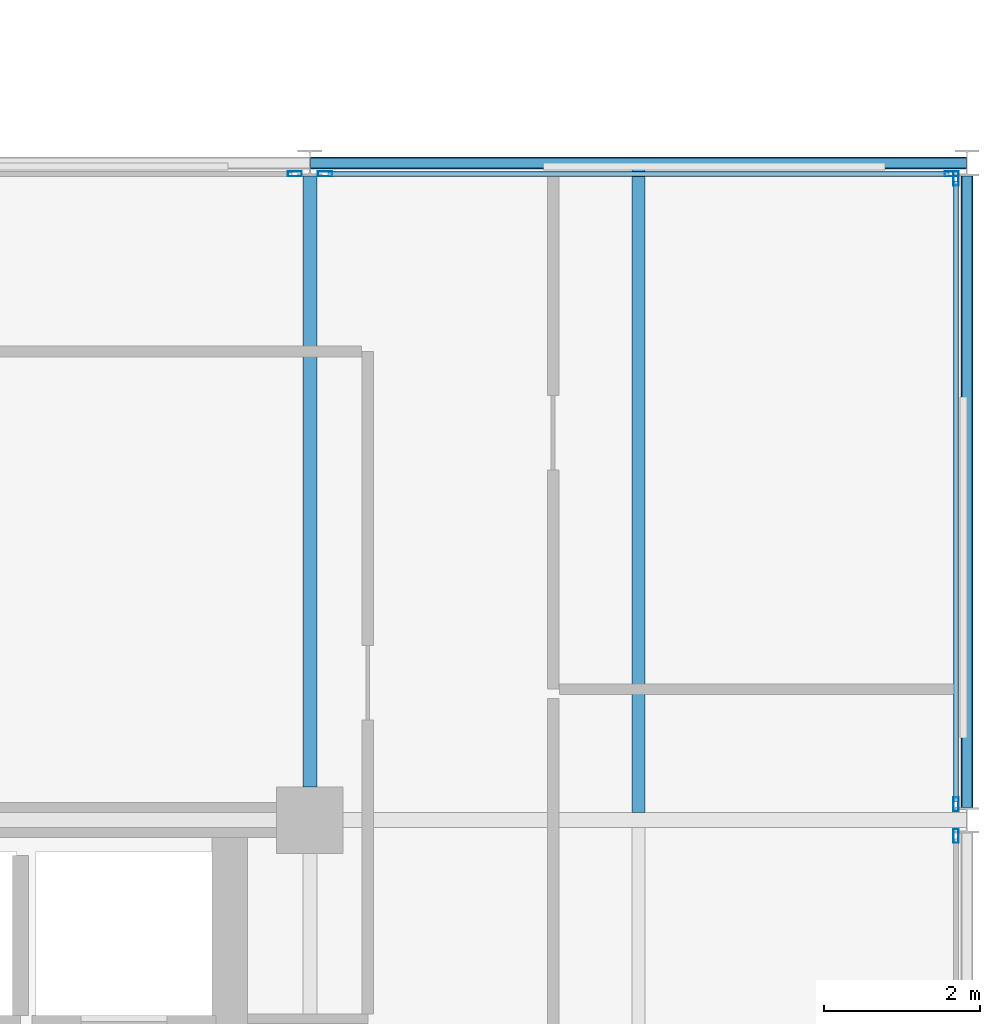
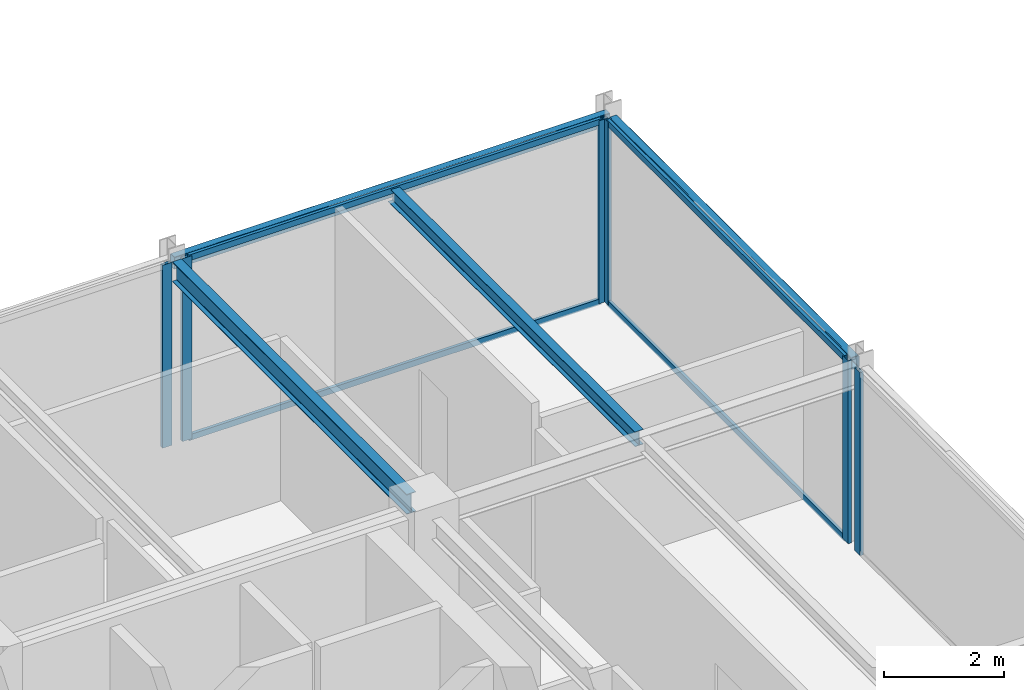
# One storey, part 16 of 26: 10 members, 4 beams, 4 elements without a shape of their own.
"""IFC4 building model written with IfcOpenShell, lengths in metres."""

from ifc_helpers import new_model, si_unit, direction, frame, origin, origin_2d, place, context, subcontext, project, spatial, hollow_rectangle, i_section, extrude, material, layer, layer_set, material_profile, profile_set, type_object, element, aggregate, save


model = new_model("IFC4")

# Units and contexts
model_context = context("Model", 3, precision=1e-05, world=origin(), true_north=direction((0.0, 1.0)))
body_context = subcontext(model_context, "Body", "Model", "MODEL_VIEW")
ifc_project = project(units=[si_unit("LENGTHUNIT", "METRE"), si_unit("AREAUNIT", "SQUARE_METRE"), si_unit("VOLUMEUNIT", "CUBIC_METRE"), si_unit("PLANEANGLEUNIT", "RADIAN"), si_unit("MASSUNIT", "GRAM", prefix="KILO")], contexts=[model_context])

# Site, building, storey
site_placement = place(None, origin())
site = spatial("IfcSite", under=ifc_project, at=site_placement, CompositionType="ELEMENT")
building_placement = place(site_placement, origin())
building = spatial("IfcBuilding", under=site, at=building_placement, Name="Nerrivon Quay Data Exchange", CompositionType="ELEMENT")
storey_placement = place(building_placement, frame((0.0, 0.0, 250.199951171875)))
storey = spatial("IfcBuildingStorey", under=building, at=storey_placement, Name="L59", CompositionType="ELEMENT", Elevation=250.199951171875)

# Beams
ifc_material_1 = material(Name="Steel Grade 350", Category="steel")
ifc_material_profile_1 = material_profile(ifc_material_1, i_section(OverallWidth=0.177978515625, OverallDepth=0.406005859375, WebThickness=0.0078125, FlangeThickness=0.0126953125, FilletRadius=0.011474609375, at=origin_2d()), Name="410UB59.7")
ifc_profile_set_1 = profile_set([ifc_material_profile_1], Name="Steel Grade 350")
beam_type_1 = type_object("IfcBeamType", Name="BM-J1-410UB60", PredefinedType="JOIST", material=ifc_profile_set_1)
beam_1_placement = place(storey_placement, frame((33.60009765625, 17.22509765625, 3.52197265625), z_axis=(0.0, 1.0, 0.0), x_axis=(-1.0, 0.0, 0.0)))
element("IfcBeam", 1, at=beam_1_placement, inside=storey, type_object=beam_type_1, Name="L59 NS Girder X=33.6 (16.8..25.2)", PredefinedType="JOIST", context=body_context, shape_type="SweptSolid", body=[
    extrude(i_section(OverallWidth=0.177978515625, OverallDepth=0.406005859375, WebThickness=0.0078125, FlangeThickness=0.0126953125, FilletRadius=0.011474609375, at=origin_2d()), origin(), (0.0, 0.0, 1.0), 7.8115234375),
])
ifc_material_profile_2 = material_profile(ifc_material_1, i_section(OverallWidth=0.1650390625, OverallDepth=0.303955078125, WebThickness=0.006103515625, FlangeThickness=0.01025390625, FilletRadius=0.011474609375, at=origin_2d()), Name="310UB40.4")
ifc_profile_set_2 = profile_set([ifc_material_profile_2], Name="Steel Grade 350")
beam_type_2 = type_object("IfcBeamType", Name="BM-J6-310UB40", PredefinedType="JOIST", material=ifc_profile_set_2)
beam_2_placement = place(storey_placement, frame((37.800048828125, 16.89501953125, 3.572998046875), z_axis=(0.0, 1.0, 0.0), x_axis=(-1.0, 0.0, 0.0)))
element("IfcBeam", 2, at=beam_2_placement, inside=storey, type_object=beam_type_2, Name="L59 Secondary Joist X=37.8 (16.8..25.2)", PredefinedType="JOIST", context=body_context, shape_type="SweptSolid", body=[
    extrude(i_section(OverallWidth=0.1650390625, OverallDepth=0.303955078125, WebThickness=0.006103515625, FlangeThickness=0.01025390625, FilletRadius=0.011474609375, at=origin_2d()), origin(), (0.0, 0.0, 1.0), 8.22998046875),
])
ifc_material_2 = material(Name="Steel Grade C350L0 (350 MPa)", Category="steel")
ifc_material_profile_3 = material_profile(ifc_material_2, hollow_rectangle(XDim=0.14990234375, YDim=0.25, WallThickness=0.009033203125, InnerFilletRadius=0.013427734375, OuterFilletRadius=0.0224609375, at=origin_2d()), Name="250x150x9.0RHS")
ifc_profile_set_3 = profile_set([ifc_material_profile_3], Name="Steel Grade C350L0 (350 MPa)")
beam_type_3 = type_object("IfcBeamType", Name="BM-SP4-250x150RHS", PredefinedType="SPANDREL", material=ifc_profile_set_3)
beam_3_placement = place(storey_placement, frame((33.60791015625, 25.199951171875, 3.60009765625), z_axis=(1.0, 0.0, 0.0), x_axis=(0.0, 1.0, 0.0)))
element("IfcBeam", 3, at=beam_3_placement, inside=storey, type_object=beam_type_3, Name="L59 EW Girder Y=25.2 (33.6..42.0)", PredefinedType="SPANDREL", context=body_context, shape_type="SweptSolid", body=[
    extrude(hollow_rectangle(XDim=0.14990234375, YDim=0.25, WallThickness=0.009033203125, InnerFilletRadius=0.013427734375, OuterFilletRadius=0.0224609375, at=origin_2d()), origin(), (0.0, 0.0, 1.0), 8.38427734375),
])
beam_4_placement = place(storey_placement, frame((42.0, 16.96337890625, 3.60009765625), z_axis=(0.0, 1.0, 0.0), x_axis=(-1.0, 0.0, 0.0)))
element("IfcBeam", 4, at=beam_4_placement, inside=storey, type_object=beam_type_3, Name="L59 NS Girder X=42.0 (16.8..25.2)", PredefinedType="SPANDREL", context=body_context, shape_type="SweptSolid", body=[
    extrude(hollow_rectangle(XDim=0.14990234375, YDim=0.25, WallThickness=0.009033203125, InnerFilletRadius=0.013427734375, OuterFilletRadius=0.0224609375, at=origin_2d()), origin(), (0.0, 0.0, 1.0), 8.0732421875),
])

# Curtain wall, member
ifc_material_3 = material(Name="Anodised aluminium 6063-T6", Category="aluminium")
ifc_layer = layer(ifc_material_3, 0.195068359375)
ifc_layer_set = layer_set([ifc_layer], Name="Anodised aluminium 6063-T6")
curtain_wall_type = type_object("IfcCurtainWallType", Name="CW-SYS-06", PredefinedType="NOTDEFINED", material=ifc_layer_set)
curtain_wall_1_placement = place(storey_placement, origin())
curtain_wall_1 = element("IfcCurtainWall", 5, at=curtain_wall_1_placement, inside=storey, type_object=curtain_wall_type, Name="L59 Unitised Curtain Wall 24", PredefinedType="NOTDEFINED")
ifc_material_profile_4 = material_profile(ifc_material_3, hollow_rectangle(XDim=0.06494140625, YDim=0.179931640625, WallThickness=0.00341796875, at=origin_2d()), Name="ALU-MULL-180x65")
ifc_profile_set_4 = profile_set([ifc_material_profile_4], Name="Anodised aluminium 6063-T6")
member_type_1 = type_object("IfcMemberType", Name="CWM-180x65", PredefinedType="MULLION", material=ifc_profile_set_4)
member_1_placement = place(storey_placement, frame((33.406982421875, 25.06005859375, 0.0), z_axis=(0.0, 0.0, 1.0), x_axis=(0.0, 1.0, 0.0)))
member_1 = element("IfcMember", 6, at=member_1_placement, type_object=member_type_1, Name="CW06 mullion 2", PredefinedType="MULLION", context=body_context, shape_type="SweptSolid", body=[
    extrude(hollow_rectangle(XDim=0.06494140625, YDim=0.179931640625, WallThickness=0.00341796875, at=origin_2d()), origin(), (0.0, 0.0, 1.0), 3.72509765625),
])
aggregate(curtain_wall_1, [member_1])

# Curtain wall, members
curtain_wall_2_placement = place(storey_placement, origin())
curtain_wall_2 = element("IfcCurtainWall", 7, at=curtain_wall_2_placement, inside=storey, type_object=curtain_wall_type, Name="L59 Unitised Curtain Wall 25", PredefinedType="NOTDEFINED")
member_2_placement = place(storey_placement, frame((33.79296875, 25.06005859375, 0.0), z_axis=(0.0, 0.0, 1.0), x_axis=(0.0, 1.0, 0.0)))
member_2 = element("IfcMember", 8, at=member_2_placement, type_object=member_type_1, Name="CW06 mullion 1", PredefinedType="MULLION", context=body_context, shape_type="SweptSolid", body=[
    extrude(hollow_rectangle(XDim=0.06494140625, YDim=0.179931640625, WallThickness=0.00341796875, at=origin_2d()), origin(), (0.0, 0.0, 1.0), 3.72509765625),
])
member_3_placement = place(storey_placement, frame((41.806884765625, 25.06005859375, 0.0), z_axis=(0.0, 0.0, 1.0), x_axis=(0.0, 1.0, 0.0)))
member_3 = element("IfcMember", 9, at=member_3_placement, type_object=member_type_1, Name="CW06 mullion 2", PredefinedType="MULLION", context=body_context, shape_type="SweptSolid", body=[
    extrude(hollow_rectangle(XDim=0.06494140625, YDim=0.179931640625, WallThickness=0.00341796875, at=origin_2d()), origin(), (0.0, 0.0, 1.0), 3.72509765625),
])

curtain_wall_3_placement = place(storey_placement, origin())
curtain_wall_3 = element("IfcCurtainWall", 10, at=curtain_wall_3_placement, inside=storey, type_object=curtain_wall_type, Name="L59 Unitised Curtain Wall 26", PredefinedType="NOTDEFINED")
member_4_placement = place(storey_placement, frame((41.860107421875, 24.9990234375, 0.0), z_axis=(0.0, 0.0, 1.0), x_axis=(1.0, 0.0, 0.0)))
member_4 = element("IfcMember", 11, at=member_4_placement, type_object=member_type_1, Name="CW06 mullion 1", PredefinedType="MULLION", context=body_context, shape_type="SweptSolid", body=[
    extrude(hollow_rectangle(XDim=0.06494140625, YDim=0.179931640625, WallThickness=0.00341796875, at=origin_2d()), origin(), (0.0, 0.0, 1.0), 3.72509765625),
])
member_5_placement = place(storey_placement, frame((41.860107421875, 17.0009765625, 0.0), z_axis=(0.0, 0.0, 1.0), x_axis=(1.0, 0.0, 0.0)))
member_5 = element("IfcMember", 12, at=member_5_placement, type_object=member_type_1, Name="CW06 mullion 2", PredefinedType="MULLION", context=body_context, shape_type="SweptSolid", body=[
    extrude(hollow_rectangle(XDim=0.06494140625, YDim=0.179931640625, WallThickness=0.00341796875, at=origin_2d()), origin(), (0.0, 0.0, 1.0), 3.72509765625),
])

# Curtain wall, member
curtain_wall_4_placement = place(storey_placement, origin())
curtain_wall_4 = element("IfcCurtainWall", 13, at=curtain_wall_4_placement, inside=storey, type_object=curtain_wall_type, Name="L59 Unitised Curtain Wall 27", PredefinedType="NOTDEFINED")
member_6_placement = place(storey_placement, frame((41.860107421875, 16.59912109375, 0.0), z_axis=(0.0, 0.0, 1.0), x_axis=(1.0, 0.0, 0.0)))
member_6 = element("IfcMember", 14, at=member_6_placement, type_object=member_type_1, Name="CW06 mullion 1", PredefinedType="MULLION", context=body_context, shape_type="SweptSolid", body=[
    extrude(hollow_rectangle(XDim=0.06494140625, YDim=0.179931640625, WallThickness=0.00341796875, at=origin_2d()), origin(), (0.0, 0.0, 1.0), 3.72509765625),
])
aggregate(curtain_wall_4, [member_6])

# Member
ifc_material_profile_5 = material_profile(ifc_material_3, hollow_rectangle(XDim=0.06005859375, YDim=0.1201171875, WallThickness=0.003173828125, at=origin_2d()), Name="ALU-TRAN-120x60")
ifc_profile_set_5 = profile_set([ifc_material_profile_5], Name="Anodised aluminium 6063-T6")
member_type_2 = type_object("IfcMemberType", Name="CWT-120x60", PredefinedType="USERDEFINED", material=ifc_profile_set_5)
member_7_placement = place(storey_placement, frame((33.83056640625, 25.06005859375, 0.032470703125), z_axis=(1.0, 0.0, 0.0), x_axis=(0.0, 1.0, 0.0)))
member_7 = element("IfcMember", 15, at=member_7_placement, type_object=member_type_2, Name="CW06 transom 1.1", ObjectType="TRANSOM", PredefinedType="USERDEFINED", context=body_context, shape_type="SweptSolid", body=[
    extrude(hollow_rectangle(XDim=0.06005859375, YDim=0.1201171875, WallThickness=0.003173828125, at=origin_2d()), origin(), (0.0, 0.0, 1.0), 7.93896484375),
])

member_8_placement = place(storey_placement, frame((33.83056640625, 25.06005859375, 3.692626953125), z_axis=(1.0, 0.0, 0.0), x_axis=(0.0, 1.0, 0.0)))
member_8 = element("IfcMember", 16, at=member_8_placement, type_object=member_type_2, Name="CW06 transom 1.2", ObjectType="TRANSOM", PredefinedType="USERDEFINED", context=body_context, shape_type="SweptSolid", body=[
    extrude(hollow_rectangle(XDim=0.06005859375, YDim=0.1201171875, WallThickness=0.003173828125, at=origin_2d()), origin(), (0.0, 0.0, 1.0), 7.93896484375),
])

aggregate(curtain_wall_2, [member_2, member_3, member_7, member_8])

member_9_placement = place(storey_placement, frame((41.860107421875, 24.96142578125, 0.032470703125), z_axis=(0.0, -1.0, 0.0), x_axis=(1.0, 0.0, 0.0)))
member_9 = element("IfcMember", 17, at=member_9_placement, type_object=member_type_2, Name="CW06 transom 1.1", ObjectType="TRANSOM", PredefinedType="USERDEFINED", context=body_context, shape_type="SweptSolid", body=[
    extrude(hollow_rectangle(XDim=0.06005859375, YDim=0.1201171875, WallThickness=0.003173828125, at=origin_2d()), origin(), (0.0, 0.0, 1.0), 7.9228515625),
])

member_10_placement = place(storey_placement, frame((41.860107421875, 24.96142578125, 3.692626953125), z_axis=(0.0, -1.0, 0.0), x_axis=(1.0, 0.0, 0.0)))
member_10 = element("IfcMember", 18, at=member_10_placement, type_object=member_type_2, Name="CW06 transom 1.2", ObjectType="TRANSOM", PredefinedType="USERDEFINED", context=body_context, shape_type="SweptSolid", body=[
    extrude(hollow_rectangle(XDim=0.06005859375, YDim=0.1201171875, WallThickness=0.003173828125, at=origin_2d()), origin(), (0.0, 0.0, 1.0), 7.9228515625),
])

aggregate(curtain_wall_3, [member_4, member_5, member_9, member_10])

save(model, "model.ifc")
